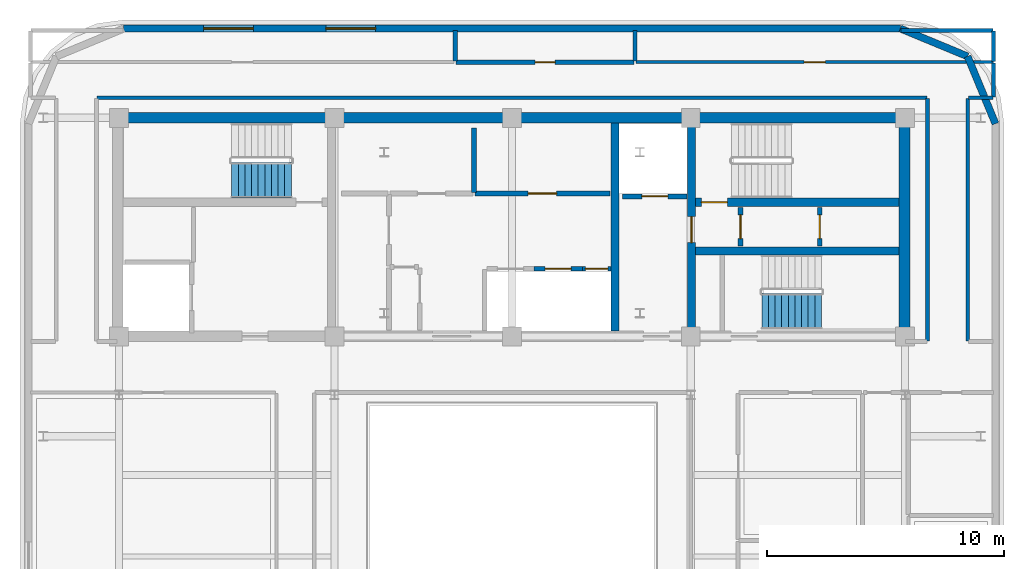
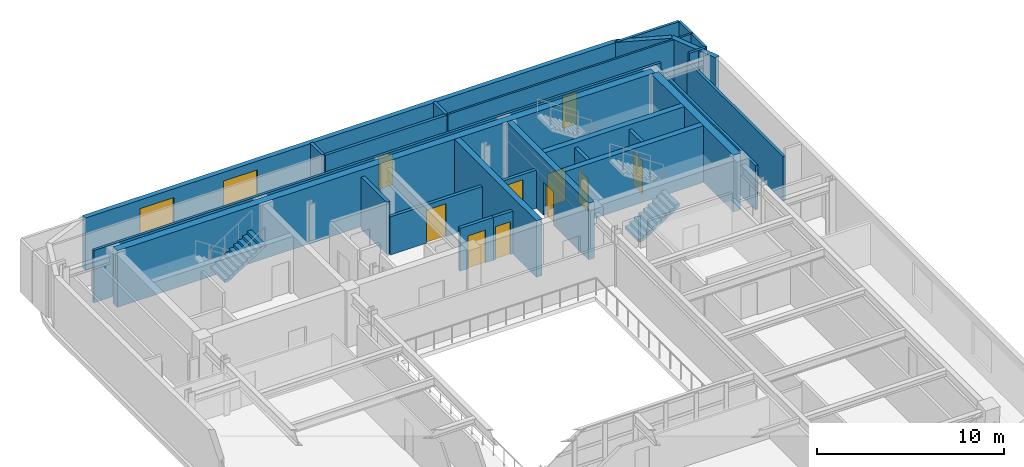
# One storey, part 8 of 12: 27 walls, 10 doors, 2 stair flights, 2 windows, 12 openings, 2 elements without a shape of their own.
"""IFC4 building model written with IfcOpenShell, lengths in metres."""

import ifcopenshell
import ifcopenshell.guid

model = None  # the IFC model being written
_history = None  # IfcOwnerHistory: only IFC2X3 demands one
_inside = {}  # id of a spatial element -> (the spatial element, [elements in it])
_under = {}  # id of a project, library or spatial element -> (it, [spatial elements below it])
_declared = {}  # id of a project -> (the project, [libraries it declares])
_typed = {}  # id of a type object -> (the type object, [elements of that type])
_made_of = {}  # id of a material, layer set ... -> (it, [elements and type objects made of it])


def new_model(schema):
    """Start an empty IFC model of exactly this schema.

    Asked for "IFC4X3", IfcOpenShell would pick the latest addendum, in which some entities
    have other attributes; the version numbers below select the first issue.
    IFC2X3 requires an IfcOwnerHistory on every rooted entity: one is made here for all.
    """
    global model, _history
    if schema == "IFC4X3":
        model = ifcopenshell.file(schema_version=(4, 3, 0, 0))
    else:
        model = ifcopenshell.file(schema=schema)
    _inside.clear()
    _under.clear()
    _declared.clear()
    _typed.clear()
    _made_of.clear()
    _history = None
    if model.schema == "IFC2X3":
        org = make("IfcOrganization", Name="unknown")
        user = make(
            "IfcPersonAndOrganization",
            ThePerson=make("IfcPerson", FamilyName="unknown"),
            TheOrganization=org,
        )
        app = make(
            "IfcApplication",
            ApplicationDeveloper=org,
            Version="unknown",
            ApplicationFullName="unknown",
            ApplicationIdentifier="unknown",
        )
        _history = make(
            "IfcOwnerHistory",
            OwningUser=user,
            OwningApplication=app,
            ChangeAction="ADDED",
            CreationDate=0,
        )
    return model


def make(cls, **values):
    """One entity of the class cls with the attributes given. An attribute that is None is left unset."""
    return model.create_entity(
        cls, **{name: value for name, value in values.items() if value is not None}
    )


def rooted(cls, **values):
    """An entity with a GlobalId (a new one), such as an element, a storey or a relation."""
    return make(cls, GlobalId=ifcopenshell.guid.new(), OwnerHistory=_history, **values)


def si_unit(unit_type, name, prefix=None):
    """IfcSIUnit, for example si_unit("LENGTHUNIT", "METRE", prefix="MILLI")."""
    return make("IfcSIUnit", UnitType=unit_type, Prefix=prefix, Name=name)


def assignment(units):
    """IfcUnitAssignment: the units of a project."""
    return None if units is None else make("IfcUnitAssignment", Units=units)


def point(xyz):
    """IfcCartesianPoint."""
    return None if xyz is None else make("IfcCartesianPoint", Coordinates=xyz)


def direction(xyz):
    """IfcDirection."""
    return None if xyz is None else make("IfcDirection", DirectionRatios=xyz)


def frame(location, z_axis=None, x_axis=None):
    """IfcAxis2Placement3D, a coordinate frame: its origin and axes. An axis left out is left unset."""
    return make(
        "IfcAxis2Placement3D",
        Location=point(location),
        Axis=direction(z_axis),
        RefDirection=direction(x_axis),
    )


def frame_2d(location, x_axis=None):
    """IfcAxis2Placement2D, a coordinate frame in the plane: its origin and x axis."""
    return make(
        "IfcAxis2Placement2D", Location=point(location), RefDirection=direction(x_axis)
    )


def origin():
    """The frame at (0, 0, 0) with its axes left unset."""
    return frame((0.0, 0.0, 0.0))


def place(relative_to, where):
    """IfcLocalPlacement: puts the frame where relative to a parent placement (None: the world)."""
    return make(
        "IfcLocalPlacement", PlacementRelTo=relative_to, RelativePlacement=where
    )


def context(
    kind, dimensions, precision=None, world=None, true_north=None, identifier=None
):
    """IfcGeometricRepresentationContext, for example the 3D "Model" context."""
    return make(
        "IfcGeometricRepresentationContext",
        ContextIdentifier=identifier,
        ContextType=kind,
        CoordinateSpaceDimension=dimensions,
        Precision=precision,
        WorldCoordinateSystem=world,
        TrueNorth=true_north,
    )


def subcontext(parent, identifier, kind, view, scale=None):
    """IfcGeometricRepresentationSubContext, for example "Body" below "Model"."""
    return make(
        "IfcGeometricRepresentationSubContext",
        ContextIdentifier=identifier,
        ContextType=kind,
        ParentContext=parent,
        TargetScale=scale,
        TargetView=view,
    )


def project(units=None, contexts=None):
    """IfcProject with its units and contexts."""
    return rooted(
        "IfcProject",
        Name="project",
        RepresentationContexts=contexts,
        UnitsInContext=assignment(units),
    )


def spatial(cls, under=None, at=None, **own):
    """A site, building, storey or space (cls), placed at a placement, below another one or the project."""
    s = rooted(cls, ObjectPlacement=at, **own)
    if under is not None:
        _under.setdefault(under.id(), (under, []))[1].append(s)
    return s


def polyline(points):
    """IfcPolyline through the points."""
    return make("IfcPolyline", Points=[point(p) for p in points])


def profile(cls, at=None, kind="AREA", **sizes):
    """A parametric profile (cls). Its sizes go by their IFC names, for example OverallWidth=200.0."""
    return make(cls, ProfileType=kind, Position=at, **sizes)


def rectangle(**sizes):
    """IfcRectangleProfileDef."""
    return profile("IfcRectangleProfileDef", **sizes)


def outline(outer, holes=None, kind="AREA"):
    """IfcArbitraryClosedProfileDef: a profile drawn as a closed curve; with holes, ...WithVoids."""
    if holes is None:
        return make("IfcArbitraryClosedProfileDef", ProfileType=kind, OuterCurve=outer)
    return make(
        "IfcArbitraryProfileDefWithVoids",
        ProfileType=kind,
        OuterCurve=outer,
        InnerCurves=holes,
    )


def extrude(swept, where, along, depth):
    """IfcExtrudedAreaSolid: the profile swept, set in the frame where, extruded along a direction by depth."""
    return make(
        "IfcExtrudedAreaSolid",
        SweptArea=swept,
        Position=where,
        ExtrudedDirection=direction(along),
        Depth=depth,
    )


def shape(context_of_items, identifier, shape_type, items):
    """IfcShapeRepresentation: the items that make up one representation, for example the "Body"."""
    return make(
        "IfcShapeRepresentation",
        ContextOfItems=context_of_items,
        RepresentationIdentifier=identifier,
        RepresentationType=shape_type,
        Items=items,
    )


def material(Name=None, Category=None):
    """IfcMaterial."""
    return make("IfcMaterial", Name=Name, Category=Category)


def layer(
    of_material, thickness, ventilated=None, Name=None, Category=None, Priority=None
):
    """IfcMaterialLayer: one layer of a wall or slab, of a material (None: an air gap)."""
    return make(
        "IfcMaterialLayer",
        Material=of_material,
        LayerThickness=thickness,
        IsVentilated=ventilated,
        Name=Name,
        Category=Category,
        Priority=Priority,
    )


def layer_set(layers, Name=None):
    """IfcMaterialLayerSet."""
    return make("IfcMaterialLayerSet", MaterialLayers=layers, LayerSetName=Name)


def made_of(thing, what):
    """Note that an element or type object is made of a material, layer set ...; save() writes the relation."""
    if what is not None:
        _made_of.setdefault(what.id(), (what, []))[1].append(thing)
    return thing


def type_object(cls, material=None, **own):
    """A type object (cls), such as IfcWallType, which elements share."""
    return made_of(rooted(cls, **own), material)


def element(
    cls,
    number,
    at=None,
    inside=None,
    cuts=None,
    type_object=None,
    material=None,
    context=None,
    identifier="Body",
    shape_type=None,
    held_by="IfcProductDefinitionShape",
    body=None,
    shapes=None,
    **own,
):
    """One element of the class cls, such as IfcWall. Its Tag is "e" and its number.

    at: its placement. inside: the storey or other place that contains it. cuts: it is an
    opening in that element (IfcRelVoidsElement). A single representation is given by context,
    identifier, shape_type and body (its items); several are given by shapes. held_by: the class
    of the entity that holds the representations. save() writes the other relations.
    """
    e = rooted(cls, Tag="e%d" % number, ObjectPlacement=at, **own)
    if body is not None:
        shapes = [shape(context, identifier, shape_type, body)]
    if shapes is not None:
        e.Representation = make(held_by, Representations=shapes)
    if inside is not None:
        _inside.setdefault(inside.id(), (inside, []))[1].append(e)
    if cuts is not None:
        rooted(
            "IfcRelVoidsElement", RelatingBuildingElement=cuts, RelatedOpeningElement=e
        )
    if type_object is not None:
        _typed.setdefault(type_object.id(), (type_object, []))[1].append(e)
    return made_of(e, material)


def fill(opening, filler):
    """IfcRelFillsElement: the door or window that sits in an opening."""
    return rooted(
        "IfcRelFillsElement",
        RelatingOpeningElement=opening,
        RelatedBuildingElement=filler,
    )


def aggregate(whole, parts):
    """IfcRelAggregates: a whole, such as a stair, and the parts it consists of."""
    return rooted("IfcRelAggregates", RelatingObject=whole, RelatedObjects=parts)


def save(model, path):
    """Write the relations noted so far, then the file.

    IfcRelAggregates (storeys below a building ...), IfcRelContainedInSpatialStructure (elements
    in a storey), IfcRelDefinesByType, IfcRelAssociatesMaterial and IfcRelDeclares: one each for
    every whole, place, type object, material and project.
    """
    for whole, parts in _under.values():
        aggregate(whole, parts)
    for where, things in _inside.values():
        rooted(
            "IfcRelContainedInSpatialStructure",
            RelatedElements=things,
            RelatingStructure=where,
        )
    for kind, things in _typed.values():
        rooted("IfcRelDefinesByType", RelatedObjects=things, RelatingType=kind)
    for what, things in _made_of.values():
        rooted("IfcRelAssociatesMaterial", RelatedObjects=things, RelatingMaterial=what)
    for by, libraries in _declared.values():
        rooted("IfcRelDeclares", RelatingContext=by, RelatedDefinitions=libraries)
    model.write(path)


model = new_model("IFC4")

# Units and contexts
model_context = context("Model", 3, precision=1e-05, world=origin(), true_north=direction((0.0, 1.0)))
body_context = subcontext(model_context, "Body", "Model", "MODEL_VIEW")
ifc_project = project(units=[si_unit("LENGTHUNIT", "METRE"), si_unit("AREAUNIT", "SQUARE_METRE"), si_unit("VOLUMEUNIT", "CUBIC_METRE"), si_unit("PLANEANGLEUNIT", "RADIAN"), si_unit("MASSUNIT", "GRAM", prefix="KILO")], contexts=[model_context])

# Site, building, storey
site_placement = place(None, origin())
site = spatial("IfcSite", under=ifc_project, at=site_placement, CompositionType="ELEMENT")
building_placement = place(site_placement, origin())
building = spatial("IfcBuilding", under=site, at=building_placement, Name="Zarnavel Station Tower", CompositionType="ELEMENT")
storey_placement = place(building_placement, frame((0.0, 0.0, 273.199951171875)))
storey = spatial("IfcBuildingStorey", under=building, at=storey_placement, Name="L74", CompositionType="ELEMENT", Elevation=273.199951171875)

# Wall
ifc_material_1 = material(Name="Concrete C50/60", Category="concrete")
ifc_layer_1 = layer(ifc_material_1, 0.35009765625)
ifc_layer_set_1 = layer_set([ifc_layer_1], Name="CW_350")
wall_type_1 = type_object("IfcWallType", Name="CW_350", PredefinedType="SHEAR", material=ifc_layer_set_1)
wall_1_placement = place(storey_placement, frame((33.14990234375, 28.044921875, 0.0), z_axis=(0.0, 0.0, 1.0), x_axis=(0.0, 1.0, 0.0)))
element("IfcWall", 1, at=wall_1_placement, inside=storey, type_object=wall_type_1, Name="L74 Rear Core Shear Wall DIV-E", PredefinedType="SHEAR", context=body_context, shape_type="SweptSolid", body=[
    extrude(rectangle(XDim=8.780029296875, YDim=0.35009765625, at=frame_2d((4.39013671875, 0.0))), origin(), (0.0, 0.0, 1.0), 3.699951171875),
])

# Wall, opening, door
wall_2_placement = place(storey_placement, frame((36.3798828125, 28.044921875, 0.0), z_axis=(0.0, 0.0, 1.0), x_axis=(0.0, 1.0, 0.0)))
wall_2 = element("IfcWall", 2, at=wall_2_placement, inside=storey, type_object=wall_type_1, Name="L74 Rear Core Shear Wall DIV-S2", PredefinedType="SHEAR", context=body_context, shape_type="SweptSolid", body=[
    extrude(rectangle(XDim=8.780029296875, YDim=0.35009765625, at=frame_2d((4.39013671875, 0.0))), origin(), (0.0, 0.0, 1.0), 3.699951171875),
])
opening_1_placement = place(wall_2_placement, frame((3.735107421875, 0.0, 0.0)))
opening_1 = element("IfcOpeningElement", 3, at=opening_1_placement, cuts=wall_2, Name="Opening FD01", PredefinedType="OPENING", context=body_context, shape_type="SweptSolid", body=[
    extrude(rectangle(XDim=1.10009765625, YDim=2.14990234375, at=frame_2d((0.550048828125, 1.074951171875))), frame((0.0, 0.18505859375, 0.0), z_axis=(0.0, -1.0, 0.0), x_axis=(1.0, 0.0, 0.0)), (0.0, 0.0, 1.0), 0.3701171875),
])
ifc_material_2 = material(Name="Painted Galvanised Steel and Hardwood Leaf", Category="steel")
door_type_1 = type_object("IfcDoorType", Name="ID_STAIR_1100", OperationType="NOTDEFINED", PredefinedType="DOOR", material=ifc_material_2)
door_1_placement = place(opening_1_placement, origin())
door_1 = element("IfcDoor", 4, at=door_1_placement, inside=storey, type_object=door_type_1, Name="L74 East Stair Vestibule Fire Door", OperationType="SINGLE_SWING_LEFT", OverallHeight=2.14990234375, OverallWidth=1.10009765625, PredefinedType="DOOR", context=body_context, shape_type="SweptSolid", body=[
    extrude(rectangle(XDim=1.10009765625, YDim=2.14990234375, at=frame_2d((0.550048828125, 1.074951171875))), frame((0.0, 0.02490234375, 0.0), z_axis=(0.0, -1.0, 0.0), x_axis=(1.0, 0.0, 0.0)), (0.0, 0.0, 1.0), 0.050048828125),
])
fill(opening_1, door_1)

wall_3_placement = place(storey_placement, frame((45.155029296875, 33.47998046875, 0.0), z_axis=(0.0, 0.0, 1.0), x_axis=(-1.0, 0.0, 0.0)))
wall_3 = element("IfcWall", 5, at=wall_3_placement, inside=storey, type_object=wall_type_1, Name="L74 Rear Core Shear Wall DIV-H2", PredefinedType="SHEAR", context=body_context, shape_type="SweptSolid", body=[
    extrude(rectangle(XDim=8.60009765625, YDim=0.35009765625, at=frame_2d((4.300048828125, 0.0))), origin(), (0.0, 0.0, 1.0), 3.699951171875),
])
opening_2_placement = place(wall_3_placement, frame((7.2548828125, 0.0, 0.0)))
opening_2 = element("IfcOpeningElement", 6, at=opening_2_placement, cuts=wall_3, Name="Opening FD01", PredefinedType="OPENING", context=body_context, shape_type="SweptSolid", body=[
    extrude(rectangle(XDim=1.10009765625, YDim=2.14990234375, at=frame_2d((0.550048828125, 1.074951171875))), frame((0.0, 0.18505859375, 0.0), z_axis=(0.0, -1.0, 0.0), x_axis=(1.0, 0.0, 0.0)), (0.0, 0.0, 1.0), 0.3701171875),
])
door_2_placement = place(opening_2_placement, origin())
door_2 = element("IfcDoor", 7, at=door_2_placement, inside=storey, type_object=door_type_1, Name="L74 Stair ST2 Lobby Fire Door", OperationType="SINGLE_SWING_RIGHT", OverallHeight=2.14990234375, OverallWidth=1.10009765625, PredefinedType="DOOR", context=body_context, shape_type="SweptSolid", body=[
    extrude(rectangle(XDim=1.10009765625, YDim=2.14990234375, at=frame_2d((0.550048828125, 1.074951171875))), frame((0.0, 0.02490234375, 0.0), z_axis=(0.0, -1.0, 0.0), x_axis=(1.0, 0.0, 0.0)), (0.0, 0.0, 1.0), 0.050048828125),
])
fill(opening_2, door_2)

# Walls
wall_4_placement = place(storey_placement, frame((36.554931640625, 31.419921875, 0.0), z_axis=(0.0, 0.0, 1.0), x_axis=(1.0, 0.0, 0.0)))
element("IfcWall", 8, at=wall_4_placement, inside=storey, type_object=wall_type_1, Name="L74 Rear Core Shear Wall DIV-H3", PredefinedType="SHEAR", context=body_context, shape_type="SweptSolid", body=[
    extrude(rectangle(XDim=8.60009765625, YDim=0.35009765625, at=frame_2d((4.300048828125, 0.0))), origin(), (0.0, 0.0, 1.0), 3.699951171875),
])
ifc_material_3 = material(Name="Concrete C50/60", Category="concrete")
ifc_layer_2 = layer(ifc_material_3, 0.449951171875)
ifc_layer_set_2 = layer_set([ifc_layer_2], Name="CW_450")
wall_type_2 = type_object("IfcWallType", Name="CW_450", PredefinedType="SHEAR", material=ifc_layer_set_2)
wall_5_placement = place(storey_placement, frame((12.14990234375, 37.050048828125, 0.0), z_axis=(0.0, 0.0, 1.0), x_axis=(1.0, 0.0, 0.0)))
element("IfcWall", 9, at=wall_5_placement, inside=storey, type_object=wall_type_2, Name="L74 Rear Core Shear Wall N", PredefinedType="SHEAR", context=body_context, shape_type="SweptSolid", body=[
    extrude(rectangle(XDim=33.22998046875, YDim=0.449951171875, at=frame_2d((16.614990234375, 0.0))), origin(), (0.0, 0.0, 1.0), 3.699951171875),
])
wall_6_placement = place(storey_placement, frame((45.3798828125, 28.044921875, 0.0), z_axis=(0.0, 0.0, 1.0), x_axis=(0.0, 1.0, 0.0)))
element("IfcWall", 10, at=wall_6_placement, inside=storey, type_object=wall_type_2, Name="L74 Rear Core Shear Wall E", PredefinedType="SHEAR", context=body_context, shape_type="SweptSolid", body=[
    extrude(rectangle(XDim=8.780029296875, YDim=0.449951171875, at=frame_2d((4.39013671875, 0.0))), origin(), (0.0, 0.0, 1.0), 3.699951171875),
])
ifc_material_4 = material(Name="Precast concrete C45/55 (Dark Basalt Finish)", Category="masonry")
ifc_layer_3 = layer(ifc_material_4, 0.300048828125)
ifc_layer_set_3 = layer_set([ifc_layer_3], Name="EW_BASALT_300")
wall_type_3 = type_object("IfcWallType", Name="EW_BASALT_300", PredefinedType="SOLIDWALL", material=ifc_layer_set_3)
for number, where, z_axis, x_axis, name in (
    (11, (48.04248046875, 39.642578125, 0.0), (0.0, 0.0, 1.0), (0.382704529509, -0.923870793506, 0.0), "L74 Exterior Basalt Masonry Frame Wall 04"),
    (12, (45.199951171875, 40.820068359375, 0.0), (0.0, 0.0, 1.0), (0.923870793506, -0.382704529509, 0.0), "L74 Exterior Basalt Masonry Frame Wall 05"),
):
    element("IfcWall", number, at=place(storey_placement, frame(where, z_axis=z_axis, x_axis=x_axis)), inside=storey, type_object=wall_type_3, Name=name, PredefinedType="SOLIDWALL", context=body_context, shape_type="SweptSolid", body=[
        extrude(rectangle(XDim=3.07666015625, YDim=0.300048828125, at=frame_2d((1.538330078125, 0.0))), origin(), (0.0, 0.0, 1.0), 3.420166015625),
    ])

# Wall, openings, windows
wall_7_placement = place(storey_placement, frame((12.39990234375, 40.820068359375, 0.0), z_axis=(0.0, 0.0, 1.0), x_axis=(1.0, 0.0, 0.0)))
wall_7 = element("IfcWall", 13, at=wall_7_placement, inside=storey, type_object=wall_type_3, Name="L74 Exterior Basalt Masonry Frame Wall 06", PredefinedType="SOLIDWALL", context=body_context, shape_type="SweptSolid", body=[
    extrude(rectangle(XDim=32.800048828125, YDim=0.300048828125, at=frame_2d((16.39990234375, 0.0))), origin(), (0.0, 0.0, 1.0), 3.420166015625),
])
opening_3_placement = place(wall_7_placement, frame((3.3798828125, 0.0, 0.75)))
opening_3 = element("IfcOpeningElement", 14, at=opening_3_placement, cuts=wall_7, Name="Opening WN05", PredefinedType="OPENING", context=body_context, shape_type="SweptSolid", body=[
    extrude(rectangle(XDim=2.10009765625, YDim=2.10009765625, at=frame_2d((1.050048828125, 1.050048828125))), frame((0.0, 0.159912109375, 0.0), z_axis=(0.0, -1.0, 0.0), x_axis=(1.0, 0.0, 0.0)), (0.0, 0.0, 1.0), 0.320068359375),
])
opening_4_placement = place(wall_7_placement, frame((8.5400390625, 0.0, 0.75)))
opening_4 = element("IfcOpeningElement", 15, at=opening_4_placement, cuts=wall_7, Name="Opening WN05", PredefinedType="OPENING", context=body_context, shape_type="SweptSolid", body=[
    extrude(rectangle(XDim=2.10009765625, YDim=2.10009765625, at=frame_2d((1.050048828125, 1.050048828125))), frame((0.0, 0.159912109375, 0.0), z_axis=(0.0, -1.0, 0.0), x_axis=(1.0, 0.0, 0.0)), (0.0, 0.0, 1.0), 0.320068359375),
])
ifc_material_5 = material(Name="Thermally Broken Black Aluminium and Low-E Dark Glass", Category="aluminium")
window_type = type_object("IfcWindowType", Name="WN_2100x2100", PartitioningType="TRIPLE_PANEL_VERTICAL", PredefinedType="WINDOW", material=ifc_material_5)
window_1_placement = place(opening_3_placement, origin())
window_1 = element("IfcWindow", 16, at=window_1_placement, inside=storey, type_object=window_type, Name="L74 Recessed Facade Window 01", OverallHeight=2.10009765625, OverallWidth=2.10009765625, PartitioningType="SINGLE_PANEL", PredefinedType="WINDOW", context=body_context, shape_type="SweptSolid", body=[
    extrude(rectangle(XDim=2.10009765625, YDim=2.10009765625, at=frame_2d((1.050048828125, 1.050048828125))), frame((0.0, 0.030029296875, 0.0), z_axis=(0.0, -1.0, 0.0), x_axis=(1.0, 0.0, 0.0)), (0.0, 0.0, 1.0), 0.06005859375),
])
fill(opening_3, window_1)
window_2_placement = place(opening_4_placement, origin())
window_2 = element("IfcWindow", 17, at=window_2_placement, inside=storey, type_object=window_type, Name="L74 Recessed Facade Window 02", OverallHeight=2.10009765625, OverallWidth=2.10009765625, PartitioningType="SINGLE_PANEL", PredefinedType="WINDOW", context=body_context, shape_type="SweptSolid", body=[
    extrude(rectangle(XDim=2.10009765625, YDim=2.10009765625, at=frame_2d((1.050048828125, 1.050048828125))), frame((0.0, 0.030029296875, 0.0), z_axis=(0.0, -1.0, 0.0), x_axis=(1.0, 0.0, 0.0)), (0.0, 0.0, 1.0), 0.06005859375),
])
fill(opening_4, window_2)

# Walls
ifc_material_6 = material(Name="Gypsum Twin-Stud Acoustic Fire Partition", Category="concrete")
ifc_layer_4 = layer(ifc_material_6, 0.159912109375)
ifc_layer_set_4 = layer_set([ifc_layer_4], Name="PT_DEMISE_160")
wall_type_4 = type_object("IfcWallType", Name="PT_DEMISE_160", PredefinedType="PARTITIONING", material=ifc_layer_set_4)
for number, where, z_axis, x_axis, name in (
    (18, (46.35009765625, 27.6298828125, 0.0), (0.0, 0.0, 1.0), (0.0, 1.0, 0.0), "L74 Enclosure Wall COR-E"),
    (19, (48.050048828125, 27.6298828125, 0.0), (0.0, 0.0, 1.0), (0.0, 1.0, 0.0), "L74 Enclosure Wall COR-E"),
):
    element("IfcWall", number, at=place(storey_placement, frame(where, z_axis=z_axis, x_axis=x_axis)), inside=storey, type_object=wall_type_4, Name=name, PredefinedType="PARTITIONING", context=body_context, shape_type="SweptSolid", body=[
        extrude(rectangle(XDim=10.240234375, YDim=0.159912109375, at=frame_2d((5.1201171875, 0.0))), origin(), (0.0, 0.0, 1.0), 2.900146484375),
    ])
wall_8_placement = place(storey_placement, frame((11.280029296875, 37.89990234375, 0.0), z_axis=(0.0, 0.0, 1.0), x_axis=(1.0, 0.0, 0.0)))
element("IfcWall", 20, at=wall_8_placement, inside=storey, type_object=wall_type_4, Name="L74 Enclosure Wall COR-N", PredefinedType="PARTITIONING", context=body_context, shape_type="SweptSolid", body=[
    extrude(rectangle(XDim=35.0400390625, YDim=0.159912109375, at=frame_2d((17.52001953125, 0.0))), origin(), (0.0, 0.0, 1.0), 3.420166015625),
])
wall_9_placement = place(storey_placement, frame((48.080078125, 37.89990234375, 0.0), z_axis=(0.0, 0.0, 1.0), x_axis=(1.0, 0.0, 0.0)))
element("IfcWall", 21, at=wall_9_placement, inside=storey, type_object=wall_type_4, Name="L74 Enclosure Wall COR-N", PredefinedType="PARTITIONING", context=body_context, shape_type="SweptSolid", body=[
    extrude(rectangle(XDim=1.030029296875, YDim=0.159912109375, at=frame_2d((0.51513671875, 0.0))), origin(), (0.0, 0.0, 1.0), 3.420166015625),
])
wall_10_placement = place(storey_placement, frame((49.139892578125, 37.929931640625, 0.0), z_axis=(0.0, 0.0, 1.0), x_axis=(0.0, 1.0, 0.0)))
element("IfcWall", 22, at=wall_10_placement, inside=storey, type_object=wall_type_4, Name="L74 Enclosure Wall COR-N", PredefinedType="PARTITIONING", context=body_context, shape_type="SweptSolid", body=[
    extrude(rectangle(XDim=1.440185546875, YDim=0.159912109375, at=frame_2d((0.72021484375, 0.0))), origin(), (0.0, 0.0, 1.0), 3.420166015625),
])
wall_11_placement = place(storey_placement, frame((45.22998046875, 40.739990234375, 0.0), z_axis=(0.0, 0.0, 1.0), x_axis=(1.0, 0.0, 0.0)))
element("IfcWall", 23, at=wall_11_placement, inside=storey, type_object=wall_type_4, Name="L74 Enclosure Wall NSTR", PredefinedType="PARTITIONING", context=body_context, shape_type="SweptSolid", body=[
    extrude(rectangle(XDim=3.880126953125, YDim=0.159912109375, at=frame_2d((1.93994140625, 0.0))), origin(), (0.0, 0.0, 1.0), 3.420166015625),
])
wall_12_placement = place(storey_placement, frame((49.139892578125, 39.429931640625, 0.0), z_axis=(0.0, 0.0, 1.0), x_axis=(0.0, 1.0, 0.0)))
element("IfcWall", 24, at=wall_12_placement, inside=storey, type_object=wall_type_4, Name="L74 Enclosure Wall NSTR", PredefinedType="PARTITIONING", context=body_context, shape_type="SweptSolid", body=[
    extrude(rectangle(XDim=1.280029296875, YDim=0.159912109375, at=frame_2d((0.64013671875, 0.0))), origin(), (0.0, 0.0, 1.0), 3.420166015625),
])

# Wall, opening, door
ifc_material_7 = material(Name="Gypsum Metal-Stud Interior Partition", Category="concrete")
ifc_layer_5 = layer(ifc_material_7, 0.1201171875)
ifc_layer_set_5 = layer_set([ifc_layer_5], Name="PT_ROOM_120")
wall_type_5 = type_object("IfcWallType", Name="PT_ROOM_120", PredefinedType="PARTITIONING", material=ifc_layer_set_5)
wall_13_placement = place(storey_placement, frame((34.0400390625, 39.39990234375, 0.0), z_axis=(0.0, 0.0, 1.0), x_axis=(1.0, 0.0, 0.0)))
wall_13 = element("IfcWall", 25, at=wall_13_placement, inside=storey, type_object=wall_type_5, Name="L74 Partition COR-N-NSTR", PredefinedType="PARTITIONING", context=body_context, shape_type="SweptSolid", body=[
    extrude(rectangle(XDim=15.099853515625, YDim=0.1201171875, at=frame_2d((7.5498046875, 0.0))), origin(), (0.0, 0.0, 1.0), 3.420166015625),
])
opening_5_placement = place(wall_13_placement, frame((7.10009765625, 0.0, 0.0)))
opening_5 = element("IfcOpeningElement", 26, at=opening_5_placement, cuts=wall_13, Name="Opening ID01", PredefinedType="OPENING", context=body_context, shape_type="SweptSolid", body=[
    extrude(rectangle(XDim=0.89990234375, YDim=2.10009765625, at=frame_2d((0.449951171875, 1.050048828125))), frame((0.0, 0.070068359375, 0.0), z_axis=(0.0, -1.0, 0.0), x_axis=(1.0, 0.0, 0.0)), (0.0, 0.0, 1.0), 0.14013671875),
])
ifc_material_8 = material(Name="Painted Galvanised Steel and Hardwood Leaf", Category="steel")
door_type_2 = type_object("IfcDoorType", Name="ID_ROOM_900", OperationType="NOTDEFINED", PredefinedType="DOOR", material=ifc_material_8)
door_3_placement = place(opening_5_placement, origin())
door_3 = element("IfcDoor", 27, at=door_3_placement, inside=storey, type_object=door_type_2, Name="L74 Door COR-N-NSTR", OperationType="SINGLE_SWING_LEFT", OverallHeight=2.10009765625, OverallWidth=0.89990234375, PredefinedType="DOOR", context=body_context, shape_type="SweptSolid", body=[
    extrude(rectangle(XDim=0.89990234375, YDim=2.10009765625, at=frame_2d((0.449951171875, 1.050048828125))), frame((0.0, 0.02490234375, 0.0), z_axis=(0.0, -1.0, 0.0), x_axis=(1.0, 0.0, 0.0)), (0.0, 0.0, 1.0), 0.050048828125),
])
fill(opening_5, door_3)

ifc_material_9 = material(Name="Precast concrete C45/55 (Fire Shaft Blockwork)", Category="masonry")
ifc_layer_6 = layer(ifc_material_9, 0.199951171875)
ifc_layer_set_6 = layer_set([ifc_layer_6], Name="PT_SHAFT_200")
wall_type_6 = type_object("IfcWallType", Name="PT_SHAFT_200", PredefinedType="PARTITIONING", material=ifc_layer_set_6)
wall_14_placement = place(storey_placement, frame((33.47509765625, 33.72998046875, 0.0), z_axis=(0.0, 0.0, 1.0), x_axis=(1.0, 0.0, 0.0)))
wall_14 = element("IfcWall", 28, at=wall_14_placement, inside=storey, type_object=wall_type_6, Name="L74 Lift FFL-02 Shaft Front Wall", PredefinedType="PARTITIONING", context=body_context, shape_type="SweptSolid", body=[
    extrude(rectangle(XDim=2.724853515625, YDim=0.199951171875, at=frame_2d((1.3623046875, 0.0))), origin(), (0.0, 0.0, 1.0), 2.489990234375),
])
opening_6_placement = place(wall_14_placement, frame((0.8125, 0.0, 0.0)))
opening_6 = element("IfcOpeningElement", 29, at=opening_6_placement, cuts=wall_14, Name="Opening LD01", PredefinedType="OPENING", context=body_context, shape_type="SweptSolid", body=[
    extrude(rectangle(XDim=1.10009765625, YDim=2.14990234375, at=frame_2d((0.550048828125, 1.074951171875))), frame((0.0, 0.10986328125, 0.0), z_axis=(0.0, -1.0, 0.0), x_axis=(1.0, 0.0, 0.0)), (0.0, 0.0, 1.0), 0.219970703125),
])
ifc_material_10 = material(Name="Painted Galvanised Steel and Hardwood Leaf", Category="steel")
door_type_3 = type_object("IfcDoorType", Name="LD_FF_1100", OperationType="DOUBLE_DOOR_SLIDING", PredefinedType="DOOR", material=ifc_material_10)
door_4_placement = place(opening_6_placement, origin())
door_4 = element("IfcDoor", 30, at=door_4_placement, inside=storey, type_object=door_type_3, Name="L74 Lift FFL-02 Sliding Landing Door", OperationType="DOUBLE_DOOR_SLIDING", OverallHeight=2.14990234375, OverallWidth=1.10009765625, PredefinedType="DOOR", context=body_context, shape_type="SweptSolid", body=[
    extrude(rectangle(XDim=1.10009765625, YDim=2.14990234375, at=frame_2d((0.550048828125, 1.074951171875))), frame((0.0, 0.02490234375, 0.0), z_axis=(0.0, -1.0, 0.0), x_axis=(1.0, 0.0, 0.0)), (0.0, 0.0, 1.0), 0.050048828125),
])
fill(opening_6, door_4)

wall_15_placement = place(storey_placement, frame((29.72509765625, 30.669921875, 0.0), z_axis=(0.0, 0.0, 1.0), x_axis=(1.0, 0.0, 0.0)))
wall_15 = element("IfcWall", 31, at=wall_15_placement, inside=storey, type_object=wall_type_6, Name="L74 Lift PL-H2 Shaft Front Wall", PredefinedType="PARTITIONING", context=body_context, shape_type="SweptSolid", body=[
    extrude(rectangle(XDim=2.0498046875, YDim=0.199951171875, at=frame_2d((1.02490234375, 0.0))), origin(), (0.0, 0.0, 1.0), 2.800048828125),
])
opening_7_placement = place(wall_15_placement, frame((0.47509765625, 0.0, 0.0)))
opening_7 = element("IfcOpeningElement", 32, at=opening_7_placement, cuts=wall_15, Name="Opening LD02", PredefinedType="OPENING", context=body_context, shape_type="SweptSolid", body=[
    extrude(rectangle(XDim=1.10009765625, YDim=2.14990234375, at=frame_2d((0.550048828125, 1.074951171875))), frame((0.0, 0.10986328125, 0.0), z_axis=(0.0, -1.0, 0.0), x_axis=(1.0, 0.0, 0.0)), (0.0, 0.0, 1.0), 0.219970703125),
])
ifc_material_11 = material(Name="Painted Galvanised Steel and Hardwood Leaf", Category="steel")
door_type_4 = type_object("IfcDoorType", Name="LD_PAX_1100", OperationType="DOUBLE_DOOR_SLIDING", PredefinedType="DOOR", material=ifc_material_11)
door_5_placement = place(opening_7_placement, origin())
door_5 = element("IfcDoor", 33, at=door_5_placement, inside=storey, type_object=door_type_4, Name="L74 Lift PL-H2 Sliding Landing Door", OperationType="DOUBLE_DOOR_SLIDING", OverallHeight=2.14990234375, OverallWidth=1.10009765625, PredefinedType="DOOR", context=body_context, shape_type="SweptSolid", body=[
    extrude(rectangle(XDim=1.10009765625, YDim=2.14990234375, at=frame_2d((0.550048828125, 1.074951171875))), frame((0.0, 0.02490234375, 0.0), z_axis=(0.0, -1.0, 0.0), x_axis=(1.0, 0.0, 0.0)), (0.0, 0.0, 1.0), 0.050048828125),
])
fill(opening_7, door_5)

wall_16_placement = place(storey_placement, frame((31.77490234375, 30.669921875, 0.0), z_axis=(0.0, 0.0, 1.0), x_axis=(1.0, 0.0, 0.0)))
wall_16 = element("IfcWall", 34, at=wall_16_placement, inside=storey, type_object=wall_type_6, Name="L74 Lift PL-H3 Shaft Front Wall", PredefinedType="PARTITIONING", context=body_context, shape_type="SweptSolid", body=[
    extrude(rectangle(XDim=1.2001953125, YDim=0.199951171875, at=frame_2d((0.60009765625, 0.0))), origin(), (0.0, 0.0, 1.0), 2.800048828125),
])
opening_8_placement = place(wall_16_placement, frame((0.125, 0.0, 0.0)))
opening_8 = element("IfcOpeningElement", 35, at=opening_8_placement, cuts=wall_16, Name="Opening LD03", PredefinedType="OPENING", context=body_context, shape_type="SweptSolid", body=[
    extrude(rectangle(XDim=0.949951171875, YDim=2.14990234375, at=frame_2d((0.47509765625, 1.074951171875))), frame((0.0, 0.10986328125, 0.0), z_axis=(0.0, -1.0, 0.0), x_axis=(1.0, 0.0, 0.0)), (0.0, 0.0, 1.0), 0.219970703125),
])
ifc_material_12 = material(Name="Painted Galvanised Steel and Hardwood Leaf", Category="steel")
door_type_5 = type_object("IfcDoorType", Name="LD_PAX_0950", OperationType="DOUBLE_DOOR_SLIDING", PredefinedType="DOOR", material=ifc_material_12)
door_6_placement = place(opening_8_placement, origin())
door_6 = element("IfcDoor", 36, at=door_6_placement, inside=storey, type_object=door_type_5, Name="L74 Lift PL-H3 Sliding Landing Door", OperationType="DOUBLE_DOOR_SLIDING", OverallHeight=2.14990234375, OverallWidth=0.949951171875, PredefinedType="DOOR", context=body_context, shape_type="SweptSolid", body=[
    extrude(rectangle(XDim=0.949951171875, YDim=2.14990234375, at=frame_2d((0.47509765625, 1.074951171875))), frame((0.0, 0.02490234375, 0.0), z_axis=(0.0, -1.0, 0.0), x_axis=(1.0, 0.0, 0.0)), (0.0, 0.0, 1.0), 0.050048828125),
])
fill(opening_8, door_6)

wall_17_placement = place(storey_placement, frame((38.449951171875, 31.639892578125, 0.0), z_axis=(0.0, 0.0, 1.0), x_axis=(0.0, 1.0, 0.0)))
wall_17 = element("IfcWall", 37, at=wall_17_placement, inside=storey, type_object=wall_type_6, Name="L74 Partition ESTV-CEA", PredefinedType="PARTITIONING", context=body_context, shape_type="SweptSolid", body=[
    extrude(rectangle(XDim=1.6201171875, YDim=0.199951171875, at=frame_2d((0.81005859375, 0.0))), origin(), (0.0, 0.0, 1.0), 3.420166015625),
])
opening_9_placement = place(wall_17_placement, frame((0.31005859375, 0.0, 0.0)))
opening_9 = element("IfcOpeningElement", 38, at=opening_9_placement, cuts=wall_17, Name="Opening FD02", PredefinedType="OPENING", context=body_context, shape_type="SweptSolid", body=[
    extrude(rectangle(XDim=1.0, YDim=2.14990234375, at=frame_2d((0.5, 1.074951171875))), frame((0.0, 0.10986328125, 0.0), z_axis=(0.0, -1.0, 0.0), x_axis=(1.0, 0.0, 0.0)), (0.0, 0.0, 1.0), 0.219970703125),
])
ifc_material_13 = material(Name="Painted Galvanised Steel and Hardwood Leaf", Category="steel")
door_type_6 = type_object("IfcDoorType", Name="ID_ENTRY_1000", OperationType="NOTDEFINED", PredefinedType="DOOR", material=ifc_material_13)
door_7_placement = place(opening_9_placement, origin())
door_7 = element("IfcDoor", 39, at=door_7_placement, inside=storey, type_object=door_type_6, Name="L74 Door ESTV-CEA", OperationType="SINGLE_SWING_LEFT", OverallHeight=2.14990234375, OverallWidth=1.0, PredefinedType="DOOR", context=body_context, shape_type="SweptSolid", body=[
    extrude(rectangle(XDim=1.0, YDim=2.14990234375, at=frame_2d((0.5, 1.074951171875))), frame((0.0, 0.02490234375, 0.0), z_axis=(0.0, -1.0, 0.0), x_axis=(1.0, 0.0, 0.0)), (0.0, 0.0, 1.0), 0.050048828125),
])
fill(opening_9, door_7)

wall_18_placement = place(storey_placement, frame((41.800048828125, 31.639892578125, 0.0), z_axis=(0.0, 0.0, 1.0), x_axis=(0.0, 1.0, 0.0)))
wall_18 = element("IfcWall", 40, at=wall_18_placement, inside=storey, type_object=wall_type_6, Name="L74 Partition CEA-CEB", PredefinedType="PARTITIONING", context=body_context, shape_type="SweptSolid", body=[
    extrude(rectangle(XDim=1.6201171875, YDim=0.199951171875, at=frame_2d((0.81005859375, 0.0))), origin(), (0.0, 0.0, 1.0), 3.420166015625),
])
opening_10_placement = place(wall_18_placement, frame((0.31005859375, 0.0, 0.0)))
opening_10 = element("IfcOpeningElement", 41, at=opening_10_placement, cuts=wall_18, Name="Opening FD02", PredefinedType="OPENING", context=body_context, shape_type="SweptSolid", body=[
    extrude(rectangle(XDim=1.0, YDim=2.14990234375, at=frame_2d((0.5, 1.074951171875))), frame((0.0, 0.10986328125, 0.0), z_axis=(0.0, -1.0, 0.0), x_axis=(1.0, 0.0, 0.0)), (0.0, 0.0, 1.0), 0.219970703125),
])
door_8_placement = place(opening_10_placement, origin())
door_8 = element("IfcDoor", 42, at=door_8_placement, inside=storey, type_object=door_type_6, Name="L74 Door CEA-CEB", OperationType="SINGLE_SWING_RIGHT", OverallHeight=2.14990234375, OverallWidth=1.0, PredefinedType="DOOR", context=body_context, shape_type="SweptSolid", body=[
    extrude(rectangle(XDim=1.0, YDim=2.14990234375, at=frame_2d((0.5, 1.074951171875))), frame((0.0, 0.02490234375, 0.0), z_axis=(0.0, -1.0, 0.0), x_axis=(1.0, 0.0, 0.0)), (0.0, 0.0, 1.0), 0.050048828125),
])
fill(opening_10, door_8)

wall_19_placement = place(storey_placement, frame((27.239990234375, 33.85009765625, 0.0), z_axis=(0.0, 0.0, 1.0), x_axis=(1.0, 0.0, 0.0)))
wall_19 = element("IfcWall", 43, at=wall_19_placement, inside=storey, type_object=wall_type_6, Name="L74 Partition LLOB-FB2B", PredefinedType="PARTITIONING", context=body_context, shape_type="SweptSolid", body=[
    extrude(rectangle(XDim=5.68994140625, YDim=0.199951171875, at=frame_2d((2.844970703125, 0.0))), origin(), (0.0, 0.0, 1.0), 2.489990234375),
])
opening_11_placement = place(wall_19_placement, frame((2.2451171875, 0.0, 0.0)))
opening_11 = element("IfcOpeningElement", 44, at=opening_11_placement, cuts=wall_19, Name="Opening FD03", PredefinedType="OPENING", context=body_context, shape_type="SweptSolid", body=[
    extrude(rectangle(XDim=1.199951171875, YDim=2.14990234375, at=frame_2d((0.60009765625, 1.074951171875))), frame((0.0, 0.10986328125, 0.0), z_axis=(0.0, -1.0, 0.0), x_axis=(1.0, 0.0, 0.0)), (0.0, 0.0, 1.0), 0.219970703125),
])
ifc_material_14 = material(Name="Painted Galvanised Steel and Hardwood Leaf", Category="steel")
door_type_7 = type_object("IfcDoorType", Name="ID_PLANT_1200", OperationType="NOTDEFINED", PredefinedType="DOOR", material=ifc_material_14)
door_9_placement = place(opening_11_placement, origin())
door_9 = element("IfcDoor", 45, at=door_9_placement, inside=storey, type_object=door_type_7, Name="L74 Door LLOB-FB2B", OperationType="SINGLE_SWING_RIGHT", OverallHeight=2.14990234375, OverallWidth=1.199951171875, PredefinedType="DOOR", context=body_context, shape_type="SweptSolid", body=[
    extrude(rectangle(XDim=1.199951171875, YDim=2.14990234375, at=frame_2d((0.60009765625, 1.074951171875))), frame((0.0, 0.02490234375, 0.0), z_axis=(0.0, -1.0, 0.0), x_axis=(1.0, 0.0, 0.0)), (0.0, 0.0, 1.0), 0.050048828125),
])
fill(opening_11, door_9)

# Wall
wall_20_placement = place(storey_placement, frame((27.199951171875, 33.889892578125, 0.0), z_axis=(0.0, 0.0, 1.0), x_axis=(0.0, 1.0, 0.0)))
element("IfcWall", 46, at=wall_20_placement, inside=storey, type_object=wall_type_6, Name="L74 Partition FB2A-FB2B", PredefinedType="PARTITIONING", context=body_context, shape_type="SweptSolid", body=[
    extrude(rectangle(XDim=2.72021484375, YDim=0.199951171875, at=frame_2d((1.360107421875, 0.0))), origin(), (0.0, 0.0, 1.0), 3.420166015625),
])

# Wall, opening, door
ifc_material_15 = material(Name="Moisture-Resistant Plumbing Chase Wall", Category="concrete")
ifc_layer_7 = layer(ifc_material_15, 0.179931640625)
ifc_layer_set_7 = layer_set([ifc_layer_7], Name="PW_PLUMB_180")
wall_type_7 = type_object("IfcWallType", Name="PW_PLUMB_180", PredefinedType="PLUMBINGWALL", material=ifc_layer_set_7)
wall_21_placement = place(storey_placement, frame((26.43994140625, 39.39990234375, 0.0), z_axis=(0.0, 0.0, 1.0), x_axis=(1.0, 0.0, 0.0)))
wall_21 = element("IfcWall", 47, at=wall_21_placement, inside=storey, type_object=wall_type_7, Name="L74 Partition COR-N-NWC", PredefinedType="PLUMBINGWALL", context=body_context, shape_type="SweptSolid", body=[
    extrude(rectangle(XDim=7.52001953125, YDim=0.179931640625, at=frame_2d((3.760009765625, 0.0))), origin(), (0.0, 0.0, 1.0), 3.420166015625),
])
opening_12_placement = place(wall_21_placement, frame((3.3349609375, 0.0, 0.0)))
opening_12 = element("IfcOpeningElement", 48, at=opening_12_placement, cuts=wall_21, Name="Opening ID02", PredefinedType="OPENING", context=body_context, shape_type="SweptSolid", body=[
    extrude(rectangle(XDim=0.85009765625, YDim=2.10009765625, at=frame_2d((0.425048828125, 1.050048828125))), frame((0.0, 0.099853515625, 0.0), z_axis=(0.0, -1.0, 0.0), x_axis=(1.0, 0.0, 0.0)), (0.0, 0.0, 1.0), 0.199951171875),
])
ifc_material_16 = material(Name="Painted Galvanised Steel and Hardwood Leaf", Category="steel")
door_type_8 = type_object("IfcDoorType", Name="ID_BATH_850", OperationType="NOTDEFINED", PredefinedType="DOOR", material=ifc_material_16)
door_10_placement = place(opening_12_placement, origin())
door_10 = element("IfcDoor", 49, at=door_10_placement, inside=storey, type_object=door_type_8, Name="L74 Door COR-N-NWC", OperationType="SINGLE_SWING_RIGHT", OverallHeight=2.10009765625, OverallWidth=0.85009765625, PredefinedType="DOOR", context=body_context, shape_type="SweptSolid", body=[
    extrude(rectangle(XDim=0.85009765625, YDim=2.10009765625, at=frame_2d((0.425048828125, 1.050048828125))), frame((0.0, 0.02490234375, 0.0), z_axis=(0.0, -1.0, 0.0), x_axis=(1.0, 0.0, 0.0)), (0.0, 0.0, 1.0), 0.050048828125),
])
fill(opening_12, door_10)

# Walls
for number, where, z_axis, x_axis, name in (
    (50, (26.39990234375, 39.43994140625, 0.0), (0.0, 0.0, 1.0), (0.0, 1.0, 0.0), "L74 Partition NSTD-NWC"),
    (51, (34.0, 39.43994140625, 0.0), (0.0, 0.0, 1.0), (0.0, 1.0, 0.0), "L74 Partition NWC-NSTR"),
):
    element("IfcWall", number, at=place(storey_placement, frame(where, z_axis=z_axis, x_axis=x_axis)), inside=storey, type_object=wall_type_7, Name=name, PredefinedType="PLUMBINGWALL", context=body_context, shape_type="SweptSolid", body=[
        extrude(rectangle(XDim=1.300048828125, YDim=0.179931640625, at=frame_2d((0.64990234375, 0.0))), origin(), (0.0, 0.0, 1.0), 3.420166015625),
    ])

# Stair, stair flight
ifc_material_17 = material(Name="Concrete C45/55", Category="concrete")
stair_type = type_object("IfcStairType", Name="ST_CORE_150", PredefinedType="HALF_TURN_STAIR", material=ifc_material_17)
stair_1_placement = place(storey_placement, origin())
stair_1 = element("IfcStair", 52, at=stair_1_placement, inside=storey, type_object=stair_type, Name="L74 Core Exit Stair ST1", PredefinedType="HALF_TURN_STAIR")
ifc_material_18 = material(Name="Concrete C45/55", Category="concrete")
ifc_layer_8 = layer(ifc_material_18, 0.179931640625)
ifc_layer_set_8 = layer_set([ifc_layer_8], Name="ST_CORE_150_FLT")
stair_flight_type = type_object("IfcStairFlightType", Name="ST_CORE_150_FLT", PredefinedType="STRAIGHT", material=ifc_layer_set_8)
stair_flight_1_placement = place(storey_placement, frame((16.9599609375, 34.409912109375, 1.85009765625), z_axis=(0.0, 0.0, 1.0), x_axis=(1.0, 0.0, 0.0)))
stair_flight_1 = element("IfcStairFlight", 53, at=stair_flight_1_placement, type_object=stair_flight_type, Name="ST1 flight 2", NumberOfRisers=10, NumberOfTreads=9, PredefinedType="STRAIGHT", RiserHeight=0.185, TreadLength=0.28, context=body_context, shape_type="SweptSolid", body=[
    extrude(outline(polyline([(0.0, 0.0), (0.0, 0.18505859375), (0.280029296875, 0.18505859375), (0.280029296875, 0.3701171875), (0.56005859375, 0.3701171875), (0.56005859375, 0.554931640625), (0.840087890625, 0.554931640625), (0.840087890625, 0.739990234375), (1.1201171875, 0.739990234375), (1.1201171875, 0.925048828125), (1.39990234375, 0.925048828125), (1.39990234375, 1.110107421875), (1.679931640625, 1.110107421875), (1.679931640625, 1.294921875), (1.9599609375, 1.294921875), (1.9599609375, 1.47998046875), (2.239990234375, 1.47998046875), (2.239990234375, 1.6650390625), (2.52001953125, 1.6650390625), (2.52001953125, 1.85009765625), (2.52001953125, 1.4853515625), (0.27197265625, 0.0), (0.0, 0.0)])), frame((0.0, 0.75, 0.0), z_axis=(0.0, -1.0, 0.0), x_axis=(1.0, 0.0, 0.0)), (0.0, 0.0, 1.0), 1.5),
])
aggregate(stair_1, [stair_flight_1])

stair_2_placement = place(storey_placement, origin())
stair_2 = element("IfcStair", 54, at=stair_2_placement, inside=storey, type_object=stair_type, Name="L74 Core Exit Stair ST3", PredefinedType="HALF_TURN_STAIR")
stair_flight_2_placement = place(storey_placement, frame((39.35009765625, 28.8701171875, 0.0), z_axis=(0.0, 0.0, 1.0), x_axis=(1.0, 0.0, 0.0)))
stair_flight_2 = element("IfcStairFlight", 55, at=stair_flight_2_placement, type_object=stair_flight_type, Name="ST3 flight 1", NumberOfRisers=10, NumberOfTreads=9, PredefinedType="STRAIGHT", RiserHeight=0.185, TreadLength=0.28, context=body_context, shape_type="SweptSolid", body=[
    extrude(outline(polyline([(0.0, 0.0), (0.0, 0.18505859375), (0.280029296875, 0.18505859375), (0.280029296875, 0.3701171875), (0.56005859375, 0.3701171875), (0.56005859375, 0.554931640625), (0.840087890625, 0.554931640625), (0.840087890625, 0.739990234375), (1.1201171875, 0.739990234375), (1.1201171875, 0.925048828125), (1.39990234375, 0.925048828125), (1.39990234375, 1.110107421875), (1.679931640625, 1.110107421875), (1.679931640625, 1.294921875), (1.9599609375, 1.294921875), (1.9599609375, 1.47998046875), (2.239990234375, 1.47998046875), (2.239990234375, 1.6650390625), (2.52001953125, 1.6650390625), (2.52001953125, 1.85009765625), (2.52001953125, 1.4853515625), (0.27197265625, 0.0), (0.0, 0.0)])), frame((0.0, 0.75, 0.0), z_axis=(0.0, -1.0, 0.0), x_axis=(1.0, 0.0, 0.0)), (0.0, 0.0, 1.0), 1.5),
])
aggregate(stair_2, [stair_flight_2])

save(model, "model.ifc")
